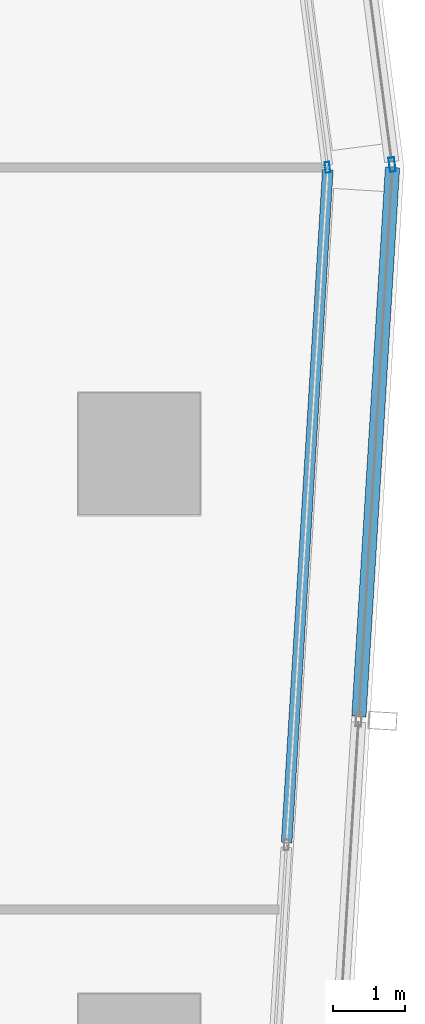
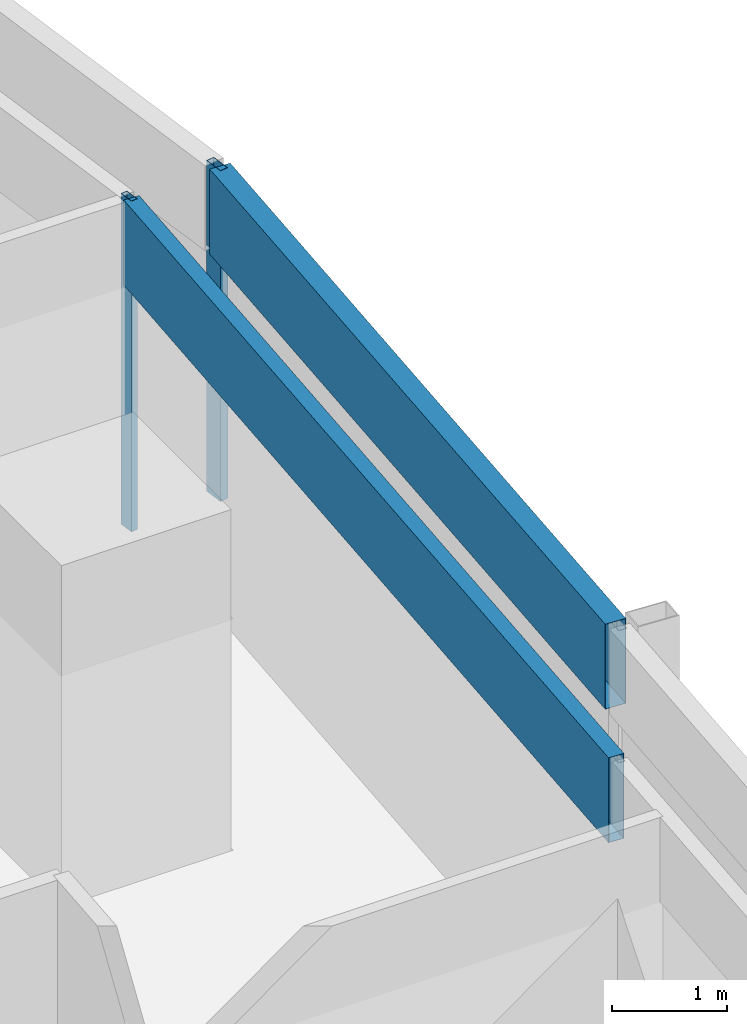
# One storey, part 25 of 40: 4 members, 4 elements without a shape of their own.
"""IFC4 building model written with IfcOpenShell, lengths in metres."""

from ifc_helpers import new_model, si_unit, direction, frame, origin, origin_2d, place, context, subcontext, project, spatial, hollow_rectangle, extrude, material, material_profile, profile_set, type_object, element, aggregate, save


model = new_model("IFC4")

# Units and contexts
model_context = context("Model", 3, precision=1e-05, world=origin(), true_north=direction((0.0, 1.0)))
body_context = subcontext(model_context, "Body", "Model", "MODEL_VIEW")
ifc_project = project(units=[si_unit("LENGTHUNIT", "METRE"), si_unit("AREAUNIT", "SQUARE_METRE"), si_unit("VOLUMEUNIT", "CUBIC_METRE"), si_unit("PLANEANGLEUNIT", "RADIAN"), si_unit("MASSUNIT", "GRAM", prefix="KILO")], contexts=[model_context])

# Site, building, storey
site_placement = place(None, origin())
site = spatial("IfcSite", under=ifc_project, at=site_placement, CompositionType="ELEMENT")
building_placement = place(site_placement, origin())
building = spatial("IfcBuilding", under=site, at=building_placement, Name="Rekha Terrace Tower", CompositionType="ELEMENT")
storey_placement = place(building_placement, frame((0.0, 0.0, 136.550048828125)))
storey = spatial("IfcBuildingStorey", under=building, at=storey_placement, Name="L34", CompositionType="ELEMENT", Elevation=136.550048828125)

# Curtain wall, member
ifc_material_1 = material(Name="Aluminium framing", Category="aluminium")
curtain_wall_type_1 = type_object("IfcCurtainWallType", Name="CW1 double skin inner glazing", PredefinedType="USERDEFINED", material=ifc_material_1)
curtain_wall_1_placement = place(storey_placement, origin())
curtain_wall_1 = element("IfcCurtainWall", 1, at=curtain_wall_1_placement, inside=storey, type_object=curtain_wall_type_1, Name="CW1 double skin inner glazing", ObjectType="DOUBLE SKIN INNER GLAZING", PredefinedType="USERDEFINED")
ifc_material_2 = material(Name="Aluminium mullion section", Category="aluminium")
ifc_material_profile_1 = material_profile(ifc_material_2, hollow_rectangle(XDim=0.06494140625, YDim=0.14990234375, WallThickness=0.00390625, at=origin_2d()), Name="AL RHS 65x150")
ifc_profile_set_1 = profile_set([ifc_material_profile_1], Name="Aluminium mullion section")
member_type_1 = type_object("IfcMemberType", Name="CW1 mullion RHS 65 x 150", PredefinedType="MULLION", material=ifc_profile_set_1)
member_1_placement = place(storey_placement, frame((69.83154296875, 46.00390625, 0.0), z_axis=(0.0, 0.0, 1.0), x_axis=(-0.991629186237, -0.129118383675, 0.0)))
member_1 = element("IfcMember", 2, at=member_1_placement, type_object=member_type_1, Name="CW1 mullion 1", PredefinedType="MULLION", context=body_context, shape_type="SweptSolid", body=[
    extrude(hollow_rectangle(XDim=0.06494140625, YDim=0.14990234375, WallThickness=0.00390625, at=origin_2d()), origin(), (0.0, 0.0, 1.0), 3.5),
])
aggregate(curtain_wall_1, [member_1])

curtain_wall_2_placement = place(storey_placement, origin())
curtain_wall_2 = element("IfcCurtainWall", 3, at=curtain_wall_2_placement, inside=storey, type_object=curtain_wall_type_1, Name="CW1 double skin inner glazing", ObjectType="DOUBLE SKIN INNER GLAZING", PredefinedType="USERDEFINED")
ifc_material_3 = material(Name="Insulated aluminium spandrel box", Category="aluminium")
ifc_material_profile_2 = material_profile(ifc_material_3, hollow_rectangle(XDim=0.14990234375, YDim=0.89990234375, WallThickness=0.0029296875, at=origin_2d()), Name="AL SPANDREL BOX 150x900")
ifc_profile_set_2 = profile_set([ifc_material_profile_2], Name="Insulated aluminium spandrel box")
member_type_2 = type_object("IfcMemberType", Name="CW1 spandrel transom 150 x 900", PredefinedType="USERDEFINED", material=ifc_profile_set_2)
member_2_placement = place(storey_placement, frame((69.259765625, 36.569091796875, 3.050048828125), z_axis=(0.061137463969, 0.998129355594, 0.0), x_axis=(-0.998129355594, 0.061137463969, 0.0)))
member_2 = element("IfcMember", 4, at=member_2_placement, type_object=member_type_2, Name="CW1 spandrel transom 3", ObjectType="TRANSOM", PredefinedType="USERDEFINED", context=body_context, shape_type="SweptSolid", body=[
    extrude(hollow_rectangle(XDim=0.14990234375, YDim=0.89990234375, WallThickness=0.0029296875, at=origin_2d()), origin(), (0.0, 0.0, 1.0), 9.420166015625),
])
aggregate(curtain_wall_2, [member_2])

curtain_wall_type_2 = type_object("IfcCurtainWallType", Name="CW2 double skin outer glazing", PredefinedType="USERDEFINED", material=ifc_material_1)
curtain_wall_3_placement = place(storey_placement, origin())
curtain_wall_3 = element("IfcCurtainWall", 5, at=curtain_wall_3_placement, inside=storey, type_object=curtain_wall_type_2, Name="CW2 double skin outer glazing", ObjectType="DOUBLE SKIN OUTER GLAZING", PredefinedType="USERDEFINED")
ifc_material_profile_3 = material_profile(ifc_material_2, hollow_rectangle(XDim=0.080078125, YDim=0.199951171875, WallThickness=0.00390625, at=origin_2d()), Name="AL RHS 80x200")
ifc_profile_set_3 = profile_set([ifc_material_profile_3], Name="Aluminium mullion section")
member_type_3 = type_object("IfcMemberType", Name="CW2 mullion RHS 80 x 200", PredefinedType="MULLION", material=ifc_profile_set_3)
member_3_placement = place(storey_placement, frame((70.734130859375, 46.042236328125, 0.0), z_axis=(0.0, 0.0, 1.0), x_axis=(-0.991629186244, -0.129118383623, 0.0)))
member_3 = element("IfcMember", 6, at=member_3_placement, type_object=member_type_3, Name="CW2 mullion 1", PredefinedType="MULLION", context=body_context, shape_type="SweptSolid", body=[
    extrude(hollow_rectangle(XDim=0.080078125, YDim=0.199951171875, WallThickness=0.00390625, at=origin_2d()), origin(), (0.0, 0.0, 1.0), 3.5),
])
aggregate(curtain_wall_3, [member_3])

curtain_wall_4_placement = place(storey_placement, origin())
curtain_wall_4 = element("IfcCurtainWall", 7, at=curtain_wall_4_placement, inside=storey, type_object=curtain_wall_type_2, Name="CW2 double skin outer glazing", ObjectType="DOUBLE SKIN OUTER GLAZING", PredefinedType="USERDEFINED")
ifc_material_profile_4 = material_profile(ifc_material_3, hollow_rectangle(XDim=0.199951171875, YDim=0.89990234375, WallThickness=0.0029296875, at=origin_2d()), Name="AL SPANDREL BOX 200x900")
ifc_profile_set_4 = profile_set([ifc_material_profile_4], Name="Insulated aluminium spandrel box")
member_type_4 = type_object("IfcMemberType", Name="CW2 spandrel transom 200 x 900", PredefinedType="USERDEFINED", material=ifc_profile_set_4)
member_4_placement = place(storey_placement, frame((70.269287109375, 38.330322265625, 3.050048828125), z_axis=(0.061142352683, 0.998129056139, 0.0), x_axis=(-0.998129056139, 0.061142352683, 0.0)))
member_4 = element("IfcMember", 8, at=member_4_placement, type_object=member_type_4, Name="CW2 spandrel transom 4", ObjectType="TRANSOM", PredefinedType="USERDEFINED", context=body_context, shape_type="SweptSolid", body=[
    extrude(hollow_rectangle(XDim=0.199951171875, YDim=0.89990234375, WallThickness=0.0029296875, at=origin_2d()), origin(), (0.0, 0.0, 1.0), 7.6865234375),
])
aggregate(curtain_wall_4, [member_4])

save(model, "model.ifc")
